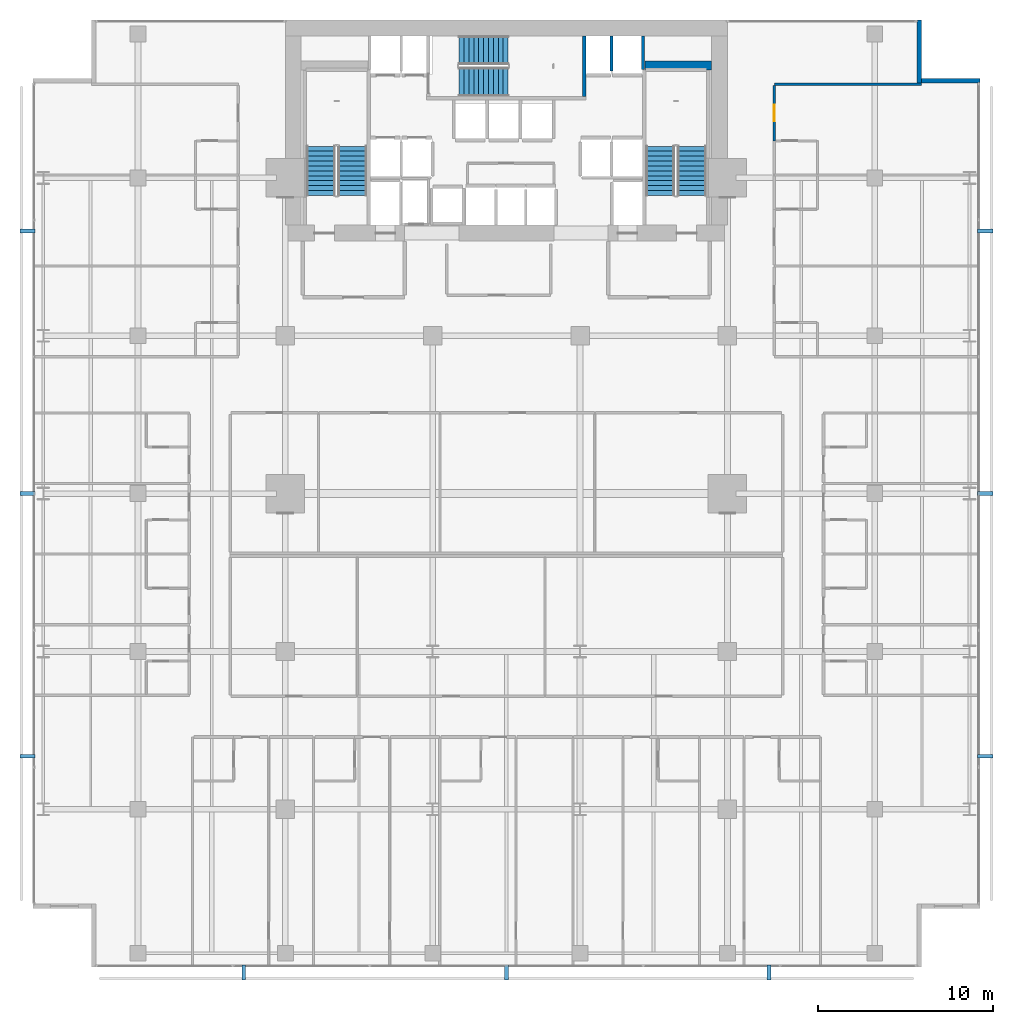
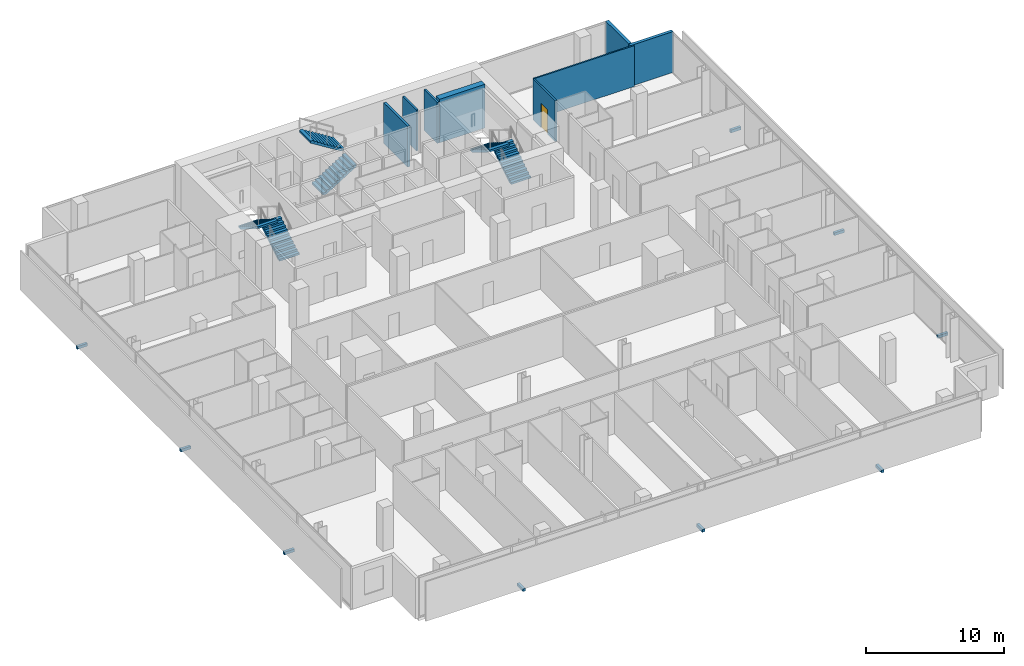
# One storey, part 38 of 40: 9 discrete accessories, 8 walls, 6 stair flights, 1 door, 1 opening, 3 elements without a shape of their own.
"""IFC4 building model written with IfcOpenShell, lengths in metres."""

import ifcopenshell
import ifcopenshell.guid

model = None  # the IFC model being written
_history = None  # IfcOwnerHistory: only IFC2X3 demands one
_inside = {}  # id of a spatial element -> (the spatial element, [elements in it])
_under = {}  # id of a project, library or spatial element -> (it, [spatial elements below it])
_declared = {}  # id of a project -> (the project, [libraries it declares])
_typed = {}  # id of a type object -> (the type object, [elements of that type])
_made_of = {}  # id of a material, layer set ... -> (it, [elements and type objects made of it])


def new_model(schema):
    """Start an empty IFC model of exactly this schema.

    Asked for "IFC4X3", IfcOpenShell would pick the latest addendum, in which some entities
    have other attributes; the version numbers below select the first issue.
    IFC2X3 requires an IfcOwnerHistory on every rooted entity: one is made here for all.
    """
    global model, _history
    if schema == "IFC4X3":
        model = ifcopenshell.file(schema_version=(4, 3, 0, 0))
    else:
        model = ifcopenshell.file(schema=schema)
    _inside.clear()
    _under.clear()
    _declared.clear()
    _typed.clear()
    _made_of.clear()
    _history = None
    if model.schema == "IFC2X3":
        org = make("IfcOrganization", Name="unknown")
        user = make(
            "IfcPersonAndOrganization",
            ThePerson=make("IfcPerson", FamilyName="unknown"),
            TheOrganization=org,
        )
        app = make(
            "IfcApplication",
            ApplicationDeveloper=org,
            Version="unknown",
            ApplicationFullName="unknown",
            ApplicationIdentifier="unknown",
        )
        _history = make(
            "IfcOwnerHistory",
            OwningUser=user,
            OwningApplication=app,
            ChangeAction="ADDED",
            CreationDate=0,
        )
    return model


def make(cls, **values):
    """One entity of the class cls with the attributes given. An attribute that is None is left unset."""
    return model.create_entity(
        cls, **{name: value for name, value in values.items() if value is not None}
    )


def rooted(cls, **values):
    """An entity with a GlobalId (a new one), such as an element, a storey or a relation."""
    return make(cls, GlobalId=ifcopenshell.guid.new(), OwnerHistory=_history, **values)


def si_unit(unit_type, name, prefix=None):
    """IfcSIUnit, for example si_unit("LENGTHUNIT", "METRE", prefix="MILLI")."""
    return make("IfcSIUnit", UnitType=unit_type, Prefix=prefix, Name=name)


def assignment(units):
    """IfcUnitAssignment: the units of a project."""
    return None if units is None else make("IfcUnitAssignment", Units=units)


def point(xyz):
    """IfcCartesianPoint."""
    return None if xyz is None else make("IfcCartesianPoint", Coordinates=xyz)


def direction(xyz):
    """IfcDirection."""
    return None if xyz is None else make("IfcDirection", DirectionRatios=xyz)


def frame(location, z_axis=None, x_axis=None):
    """IfcAxis2Placement3D, a coordinate frame: its origin and axes. An axis left out is left unset."""
    return make(
        "IfcAxis2Placement3D",
        Location=point(location),
        Axis=direction(z_axis),
        RefDirection=direction(x_axis),
    )


def frame_2d(location, x_axis=None):
    """IfcAxis2Placement2D, a coordinate frame in the plane: its origin and x axis."""
    return make(
        "IfcAxis2Placement2D", Location=point(location), RefDirection=direction(x_axis)
    )


def origin():
    """The frame at (0, 0, 0) with its axes left unset."""
    return frame((0.0, 0.0, 0.0))


def origin_2d():
    """The frame at (0, 0) in the plane with its x axis left unset."""
    return frame_2d((0.0, 0.0))


def place(relative_to, where):
    """IfcLocalPlacement: puts the frame where relative to a parent placement (None: the world)."""
    return make(
        "IfcLocalPlacement", PlacementRelTo=relative_to, RelativePlacement=where
    )


def context(
    kind, dimensions, precision=None, world=None, true_north=None, identifier=None
):
    """IfcGeometricRepresentationContext, for example the 3D "Model" context."""
    return make(
        "IfcGeometricRepresentationContext",
        ContextIdentifier=identifier,
        ContextType=kind,
        CoordinateSpaceDimension=dimensions,
        Precision=precision,
        WorldCoordinateSystem=world,
        TrueNorth=true_north,
    )


def subcontext(parent, identifier, kind, view, scale=None):
    """IfcGeometricRepresentationSubContext, for example "Body" below "Model"."""
    return make(
        "IfcGeometricRepresentationSubContext",
        ContextIdentifier=identifier,
        ContextType=kind,
        ParentContext=parent,
        TargetScale=scale,
        TargetView=view,
    )


def project(units=None, contexts=None):
    """IfcProject with its units and contexts."""
    return rooted(
        "IfcProject",
        Name="project",
        RepresentationContexts=contexts,
        UnitsInContext=assignment(units),
    )


def spatial(cls, under=None, at=None, **own):
    """A site, building, storey or space (cls), placed at a placement, below another one or the project."""
    s = rooted(cls, ObjectPlacement=at, **own)
    if under is not None:
        _under.setdefault(under.id(), (under, []))[1].append(s)
    return s


def polyline(points):
    """IfcPolyline through the points."""
    return make("IfcPolyline", Points=[point(p) for p in points])


def profile(cls, at=None, kind="AREA", **sizes):
    """A parametric profile (cls). Its sizes go by their IFC names, for example OverallWidth=200.0."""
    return make(cls, ProfileType=kind, Position=at, **sizes)


def rectangle(**sizes):
    """IfcRectangleProfileDef."""
    return profile("IfcRectangleProfileDef", **sizes)


def outline(outer, holes=None, kind="AREA"):
    """IfcArbitraryClosedProfileDef: a profile drawn as a closed curve; with holes, ...WithVoids."""
    if holes is None:
        return make("IfcArbitraryClosedProfileDef", ProfileType=kind, OuterCurve=outer)
    return make(
        "IfcArbitraryProfileDefWithVoids",
        ProfileType=kind,
        OuterCurve=outer,
        InnerCurves=holes,
    )


def extrude(swept, where, along, depth):
    """IfcExtrudedAreaSolid: the profile swept, set in the frame where, extruded along a direction by depth."""
    return make(
        "IfcExtrudedAreaSolid",
        SweptArea=swept,
        Position=where,
        ExtrudedDirection=direction(along),
        Depth=depth,
    )


def shape(context_of_items, identifier, shape_type, items):
    """IfcShapeRepresentation: the items that make up one representation, for example the "Body"."""
    return make(
        "IfcShapeRepresentation",
        ContextOfItems=context_of_items,
        RepresentationIdentifier=identifier,
        RepresentationType=shape_type,
        Items=items,
    )


def material(Name=None, Category=None):
    """IfcMaterial."""
    return make("IfcMaterial", Name=Name, Category=Category)


def layer(
    of_material, thickness, ventilated=None, Name=None, Category=None, Priority=None
):
    """IfcMaterialLayer: one layer of a wall or slab, of a material (None: an air gap)."""
    return make(
        "IfcMaterialLayer",
        Material=of_material,
        LayerThickness=thickness,
        IsVentilated=ventilated,
        Name=Name,
        Category=Category,
        Priority=Priority,
    )


def layer_set(layers, Name=None):
    """IfcMaterialLayerSet."""
    return make("IfcMaterialLayerSet", MaterialLayers=layers, LayerSetName=Name)


def made_of(thing, what):
    """Note that an element or type object is made of a material, layer set ...; save() writes the relation."""
    if what is not None:
        _made_of.setdefault(what.id(), (what, []))[1].append(thing)
    return thing


def type_object(cls, material=None, **own):
    """A type object (cls), such as IfcWallType, which elements share."""
    return made_of(rooted(cls, **own), material)


def element(
    cls,
    number,
    at=None,
    inside=None,
    cuts=None,
    type_object=None,
    material=None,
    context=None,
    identifier="Body",
    shape_type=None,
    held_by="IfcProductDefinitionShape",
    body=None,
    shapes=None,
    **own,
):
    """One element of the class cls, such as IfcWall. Its Tag is "e" and its number.

    at: its placement. inside: the storey or other place that contains it. cuts: it is an
    opening in that element (IfcRelVoidsElement). A single representation is given by context,
    identifier, shape_type and body (its items); several are given by shapes. held_by: the class
    of the entity that holds the representations. save() writes the other relations.
    """
    e = rooted(cls, Tag="e%d" % number, ObjectPlacement=at, **own)
    if body is not None:
        shapes = [shape(context, identifier, shape_type, body)]
    if shapes is not None:
        e.Representation = make(held_by, Representations=shapes)
    if inside is not None:
        _inside.setdefault(inside.id(), (inside, []))[1].append(e)
    if cuts is not None:
        rooted(
            "IfcRelVoidsElement", RelatingBuildingElement=cuts, RelatedOpeningElement=e
        )
    if type_object is not None:
        _typed.setdefault(type_object.id(), (type_object, []))[1].append(e)
    return made_of(e, material)


def fill(opening, filler):
    """IfcRelFillsElement: the door or window that sits in an opening."""
    return rooted(
        "IfcRelFillsElement",
        RelatingOpeningElement=opening,
        RelatedBuildingElement=filler,
    )


def aggregate(whole, parts):
    """IfcRelAggregates: a whole, such as a stair, and the parts it consists of."""
    return rooted("IfcRelAggregates", RelatingObject=whole, RelatedObjects=parts)


def save(model, path):
    """Write the relations noted so far, then the file.

    IfcRelAggregates (storeys below a building ...), IfcRelContainedInSpatialStructure (elements
    in a storey), IfcRelDefinesByType, IfcRelAssociatesMaterial and IfcRelDeclares: one each for
    every whole, place, type object, material and project.
    """
    for whole, parts in _under.values():
        aggregate(whole, parts)
    for where, things in _inside.values():
        rooted(
            "IfcRelContainedInSpatialStructure",
            RelatedElements=things,
            RelatingStructure=where,
        )
    for kind, things in _typed.values():
        rooted("IfcRelDefinesByType", RelatedObjects=things, RelatingType=kind)
    for what, things in _made_of.values():
        rooted("IfcRelAssociatesMaterial", RelatedObjects=things, RelatingMaterial=what)
    for by, libraries in _declared.values():
        rooted("IfcRelDeclares", RelatingContext=by, RelatedDefinitions=libraries)
    model.write(path)


model = new_model("IFC4")

# Units and contexts
model_context = context("Model", 3, precision=1e-05, world=origin(), true_north=direction((0.0, 1.0)))
body_context = subcontext(model_context, "Body", "Model", "MODEL_VIEW")
ifc_project = project(units=[si_unit("LENGTHUNIT", "METRE"), si_unit("AREAUNIT", "SQUARE_METRE"), si_unit("VOLUMEUNIT", "CUBIC_METRE"), si_unit("PLANEANGLEUNIT", "RADIAN"), si_unit("MASSUNIT", "GRAM", prefix="KILO")], contexts=[model_context])

# Site, building, storey
site_placement = place(None, origin())
site = spatial("IfcSite", under=ifc_project, at=site_placement, CompositionType="ELEMENT")
building_placement = place(site_placement, origin())
building = spatial("IfcBuilding", under=site, at=building_placement, Name="Maruvema Waterfront Hotel and Observation Tower", CompositionType="ELEMENT")
storey_placement = place(building_placement, frame((0.0, 0.0, 77.0)))
storey = spatial("IfcBuildingStorey", under=building, at=storey_placement, Name="L18", CompositionType="ELEMENT", Elevation=77.0)

# Wall, opening, door
ifc_material_1 = material(Name="Twin-stud acoustic gypsum drywall", Category="gypsum")
ifc_layer_1 = layer(ifc_material_1, 0.14990234375, Name="Acoustic Corridor and Suite Demising Wall 150 mm")
ifc_layer_set_1 = layer_set([ifc_layer_1], Name="Twin-stud acoustic gypsum drywall")
wall_type_1 = type_object("IfcWallType", Name="Acoustic Corridor and Suite Demising Wall 150 mm", PredefinedType="PARTITIONING", material=ifc_layer_set_1)
wall_1_placement = place(storey_placement, frame((53.080078125, 47.1083984375, 0.0), z_axis=(0.0, 0.0, 1.0), x_axis=(0.0, 1.0, 0.0)))
wall_1 = element("IfcWall", 1, at=wall_1_placement, inside=storey, type_object=wall_type_1, Name="L18 Room L18-NE3 Corridor Wall 141", PredefinedType="PARTITIONING", context=body_context, shape_type="SweptSolid", body=[
    extrude(rectangle(XDim=3.169189453125, YDim=0.14990234375, at=frame_2d((1.58447265625, 0.0))), origin(), (0.0, 0.0, 1.0), 3.610107421875),
])
opening_placement = place(wall_1_placement, frame((1.109619140625, 0.0, 0.0)))
opening = element("IfcOpeningElement", 2, at=opening_placement, cuts=wall_1, Name="Opening DR-095", PredefinedType="OPENING", context=body_context, shape_type="SweptSolid", body=[
    extrude(rectangle(XDim=0.949951171875, YDim=2.14990234375, at=frame_2d((0.47509765625, 1.074951171875))), frame((0.0, 0.0849609375, 0.0), z_axis=(0.0, -1.0, 0.0), x_axis=(1.0, 0.0, 0.0)), (0.0, 0.0, 1.0), 0.169921875),
])
ifc_material_2 = material(Name="Acoustic solid-core hardwood timber leaf", Category="wood")
door_type = type_object("IfcDoorType", Name="Guestroom Entrance Fire Door 950x2150 mm", OperationType="NOTDEFINED", PredefinedType="DOOR", material=ifc_material_2)
door_placement = place(opening_placement, frame((0.949951171875, 0.0, 0.0), z_axis=(0.0, 0.0, 1.0), x_axis=(-1.0, 0.0, 0.0)))
door = element("IfcDoor", 3, at=door_placement, inside=storey, type_object=door_type, Name="L18 Room L18-NE3 Entrance Door", OperationType="SINGLE_SWING_LEFT", OverallHeight=2.14990234375, OverallWidth=0.949951171875, PredefinedType="DOOR", context=body_context, shape_type="SweptSolid", body=[
    extrude(rectangle(XDim=0.949951171875, YDim=2.14990234375, at=frame_2d((0.47509765625, 1.074951171875))), frame((0.0, 0.02490234375, 0.0), z_axis=(0.0, -1.0, 0.0), x_axis=(1.0, 0.0, 0.0)), (0.0, 0.0, 1.0), 0.050048828125),
])
fill(opening, door)

# Walls
ifc_material_3 = material(Name="Precast concrete C45/55", Category="concrete")
ifc_layer_2 = layer(ifc_material_3, 0.199951171875, Name="Core Shaft and Stairwell Enclosure Wall 200 mm")
ifc_layer_set_2 = layer_set([ifc_layer_2], Name="Precast concrete C45/55")
wall_type_2 = type_object("IfcWallType", Name="Core Shaft and Stairwell Enclosure Wall 200 mm", PredefinedType="SOLIDWALL", material=ifc_layer_set_2)
wall_2_placement = place(storey_placement, frame((42.25, 49.64990234375, 0.0), z_axis=(0.0, 0.0, 1.0), x_axis=(0.0, 1.0, 0.0)))
element("IfcWall", 4, at=wall_2_placement, inside=storey, type_object=wall_type_2, Name="L18 Stairwell ST-02 Shaft Wall", PredefinedType="SOLIDWALL", context=body_context, shape_type="SweptSolid", body=[
    extrude(rectangle(XDim=3.4501953125, YDim=0.199951171875, at=frame_2d((1.72509765625, 0.0))), origin(), (0.0, 0.0, 1.0), 3.610107421875),
])
ifc_material_4 = material(Name="Concrete C70/85", Category="concrete")
ifc_layer_3 = layer(ifc_material_4, 0.5, Name="Core Shear Wall 500 mm")
ifc_layer_set_3 = layer_set([ifc_layer_3], Name="Concrete C70/85")
wall_type_3 = type_object("IfcWallType", Name="Core Shear Wall 500 mm", PredefinedType="SHEAR", material=ifc_layer_set_3)
wall_3_placement = place(storey_placement, frame((45.699951171875, 51.39990234375, 0.0), z_axis=(0.0, 0.0, 1.0), x_axis=(1.0, 0.0, 0.0)))
element("IfcWall", 5, at=wall_3_placement, inside=storey, type_object=wall_type_3, Name="L18 Internal Core Shear Wall NE 500 mm", PredefinedType="SHEAR", context=body_context, shape_type="SweptSolid", body=[
    extrude(rectangle(XDim=3.800048828125, YDim=0.5, at=frame_2d((1.89990234375, 0.0))), origin(), (0.0, 0.0, 1.0), 3.85009765625),
])
ifc_material_5 = material(Name="Precast concrete C45/55 with honed Pernambuco granite facing", Category="masonry")
ifc_layer_4 = layer(ifc_material_5, 0.260009765625, Name="Exterior Granite Clad Spandrel and Pier Wall 260 mm")
ifc_layer_set_4 = layer_set([ifc_layer_4], Name="Precast concrete C45/55 with honed Pernambuco granite facing")
wall_type_4 = type_object("IfcWallType", Name="Exterior Granite Clad Spandrel and Pier Wall 260 mm", PredefinedType="SOLIDWALL", material=ifc_layer_set_4)
for number, where, z_axis, x_axis, name in (
    (6, (61.330078125, 54.0, 0.0), (0.0, 0.0, 1.0), (0.0, -1.0, 0.0), "L18 Corner Notch Granite Pier Wall NE1"),
    (7, (61.199951171875, 50.530029296875, 0.0), (0.0, 0.0, 1.0), (1.0, 0.0, 0.0), "L18 Corner Notch Granite Pier Wall NE2"),
):
    element("IfcWall", number, at=place(storey_placement, frame(where, z_axis=z_axis, x_axis=x_axis)), inside=storey, type_object=wall_type_4, Name=name, PredefinedType="SOLIDWALL", context=body_context, shape_type="SweptSolid", body=[
        extrude(rectangle(XDim=3.60009765625, YDim=0.260009765625, at=frame_2d((1.800048828125, 0.0))), origin(), (0.0, 0.0, 1.0), 3.610107421875),
    ])
ifc_material_6 = material(Name="Acoustic gypsum plasterboard drywall", Category="gypsum")
ifc_layer_5 = layer(ifc_material_6, 0.125, Name="Guestroom Acoustic Demising Wall 125 mm")
ifc_layer_set_5 = layer_set([ifc_layer_5], Name="Acoustic gypsum plasterboard drywall")
wall_type_5 = type_object("IfcWallType", Name="Guestroom Acoustic Demising Wall 125 mm", PredefinedType="PARTITIONING", material=ifc_layer_set_5)
wall_4_placement = place(storey_placement, frame((53.080078125, 50.33740234375, 0.0), z_axis=(0.0, 0.0, 1.0), x_axis=(1.0, 0.0, 0.0)))
element("IfcWall", 8, at=wall_4_placement, inside=storey, type_object=wall_type_5, Name="L18 NE Top End 115", PredefinedType="PARTITIONING", context=body_context, shape_type="SweptSolid", body=[
    extrude(rectangle(XDim=8.3798828125, YDim=0.125, at=frame_2d((4.18994140625, 0.0))), origin(), (0.0, 0.0, 1.0), 3.610107421875),
])
ifc_material_7 = material(Name="Precast concrete C45/55", Category="concrete")
ifc_layer_6 = layer(ifc_material_7, 0.159912109375, Name="Lift Hoistway Divider Wall 160 mm")
ifc_layer_set_6 = layer_set([ifc_layer_6], Name="Precast concrete C45/55")
wall_type_6 = type_object("IfcWallType", Name="Lift Hoistway Divider Wall 160 mm", PredefinedType="SOLIDWALL", material=ifc_layer_set_6)
wall_5_placement = place(storey_placement, frame((45.590087890625, 51.179931640625, 0.0), z_axis=(0.0, 0.0, 1.0), x_axis=(0.0, 1.0, 0.0)))
element("IfcWall", 9, at=wall_5_placement, inside=storey, type_object=wall_type_6, Name="L18 Hoistway Divider Wall", PredefinedType="SOLIDWALL", context=body_context, shape_type="SweptSolid", body=[
    extrude(rectangle(XDim=1.920166015625, YDim=0.159912109375, at=frame_2d((0.9599609375, 0.0))), origin(), (0.0, 0.0, 1.0), 3.610107421875),
])
wall_6_placement = place(storey_placement, frame((43.800048828125, 51.10009765625, 0.0), z_axis=(0.0, 0.0, 1.0), x_axis=(0.0, 1.0, 0.0)))
element("IfcWall", 10, at=wall_6_placement, inside=storey, type_object=wall_type_6, Name="L18 Hoistway Divider Wall", PredefinedType="SOLIDWALL", context=body_context, shape_type="SweptSolid", body=[
    extrude(rectangle(XDim=2.0, YDim=0.159912109375, at=frame_2d((1.0, 0.0))), origin(), (0.0, 0.0, 1.0), 3.610107421875),
])

# Stair, stair flights
ifc_material_8 = material(Name="Concrete C50/60", Category="concrete")
stair_type = type_object("IfcStairType", Name="Dogleg Exit Stair 1650 mm (22R x 175.0 mm)", PredefinedType="HALF_TURN_STAIR", material=ifc_material_8)
stair_1_placement = place(storey_placement, origin())
stair_1 = element("IfcStair", 11, at=stair_1_placement, inside=storey, type_object=stair_type, Name="L18 ST-01", PredefinedType="HALF_TURN_STAIR")
ifc_material_9 = material(Name="Concrete C50/60", Category="concrete")
stair_flight_type = type_object("IfcStairFlightType", Name="Reinforced Concrete Stair Flight 1650 mm (11R x 175.0 mm)", PredefinedType="STRAIGHT", material=ifc_material_9)
stair_flight_1_placement = place(storey_placement, frame((29.02490234375, 44.0, 0.0), z_axis=(0.0, 0.0, 1.0), x_axis=(0.0, 1.0, 0.0)))
stair_flight_1 = element("IfcStairFlight", 12, at=stair_flight_1_placement, type_object=stair_flight_type, Name="ST-01 flight 1", NumberOfRisers=11, NumberOfTreads=10, PredefinedType="STRAIGHT", RiserHeight=0.175, TreadLength=0.28, context=body_context, shape_type="SweptSolid", body=[
    extrude(outline(polyline([(0.0, 0.0), (0.0, 0.175048828125), (0.280029296875, 0.175048828125), (0.280029296875, 0.35009765625), (0.56005859375, 0.35009765625), (0.56005859375, 0.52490234375), (0.840087890625, 0.52490234375), (0.840087890625, 0.699951171875), (1.1201171875, 0.699951171875), (1.1201171875, 0.875), (1.39990234375, 0.875), (1.39990234375, 1.050048828125), (1.679931640625, 1.050048828125), (1.679931640625, 1.22509765625), (1.9599609375, 1.22509765625), (1.9599609375, 1.39990234375), (2.239990234375, 1.39990234375), (2.239990234375, 1.574951171875), (2.52001953125, 1.574951171875), (2.52001953125, 1.75), (2.800048828125, 1.75), (2.800048828125, 1.925048828125), (2.800048828125, 1.5732421875), (0.28271484375, 0.0), (0.0, 0.0)])), frame((0.0, 0.824951171875, 0.0), z_axis=(0.0, -1.0, 0.0), x_axis=(1.0, 0.0, 0.0)), (0.0, 0.0, 1.0), 1.64990234375),
])
stair_flight_2_placement = place(storey_placement, frame((27.22509765625, 46.800048828125, 1.925048828125), z_axis=(0.0, 0.0, 1.0), x_axis=(0.0, -1.0, 0.0)))
stair_flight_2 = element("IfcStairFlight", 13, at=stair_flight_2_placement, type_object=stair_flight_type, Name="ST-01 flight 2", NumberOfRisers=11, NumberOfTreads=10, PredefinedType="STRAIGHT", RiserHeight=0.175, TreadLength=0.28, context=body_context, shape_type="SweptSolid", body=[
    extrude(outline(polyline([(0.0, 0.0), (0.0, 0.175048828125), (0.280029296875, 0.175048828125), (0.280029296875, 0.35009765625), (0.56005859375, 0.35009765625), (0.56005859375, 0.52490234375), (0.840087890625, 0.52490234375), (0.840087890625, 0.699951171875), (1.1201171875, 0.699951171875), (1.1201171875, 0.875), (1.39990234375, 0.875), (1.39990234375, 1.050048828125), (1.679931640625, 1.050048828125), (1.679931640625, 1.22509765625), (1.9599609375, 1.22509765625), (1.9599609375, 1.39990234375), (2.239990234375, 1.39990234375), (2.239990234375, 1.574951171875), (2.52001953125, 1.574951171875), (2.52001953125, 1.75), (2.800048828125, 1.75), (2.800048828125, 1.925048828125), (2.800048828125, 1.5732421875), (0.28271484375, 0.0), (0.0, 0.0)])), frame((0.0, 0.824951171875, 0.0), z_axis=(0.0, -1.0, 0.0), x_axis=(1.0, 0.0, 0.0)), (0.0, 0.0, 1.0), 1.64990234375),
])
aggregate(stair_1, [stair_flight_1, stair_flight_2])

stair_2_placement = place(storey_placement, origin())
stair_2 = element("IfcStair", 14, at=stair_2_placement, inside=storey, type_object=stair_type, Name="L18 ST-02", PredefinedType="HALF_TURN_STAIR")
stair_flight_3_placement = place(storey_placement, frame((35.10009765625, 50.47509765625, 0.0), z_axis=(0.0, 0.0, 1.0), x_axis=(1.0, 0.0, 0.0)))
stair_flight_3 = element("IfcStairFlight", 15, at=stair_flight_3_placement, type_object=stair_flight_type, Name="ST-02 flight 1", NumberOfRisers=11, NumberOfTreads=10, PredefinedType="STRAIGHT", RiserHeight=0.175, TreadLength=0.28, context=body_context, shape_type="SweptSolid", body=[
    extrude(outline(polyline([(0.0, 0.0), (0.0, 0.175048828125), (0.280029296875, 0.175048828125), (0.280029296875, 0.35009765625), (0.56005859375, 0.35009765625), (0.56005859375, 0.52490234375), (0.840087890625, 0.52490234375), (0.840087890625, 0.699951171875), (1.1201171875, 0.699951171875), (1.1201171875, 0.875), (1.39990234375, 0.875), (1.39990234375, 1.050048828125), (1.679931640625, 1.050048828125), (1.679931640625, 1.22509765625), (1.9599609375, 1.22509765625), (1.9599609375, 1.39990234375), (2.239990234375, 1.39990234375), (2.239990234375, 1.574951171875), (2.52001953125, 1.574951171875), (2.52001953125, 1.75), (2.800048828125, 1.75), (2.800048828125, 1.925048828125), (2.800048828125, 1.5732421875), (0.28271484375, 0.0), (0.0, 0.0)])), frame((0.0, 0.824951171875, 0.0), z_axis=(0.0, -1.0, 0.0), x_axis=(1.0, 0.0, 0.0)), (0.0, 0.0, 1.0), 1.64990234375),
])
stair_flight_4_placement = place(storey_placement, frame((37.89990234375, 52.27490234375, 1.925048828125), z_axis=(0.0, 0.0, 1.0), x_axis=(-1.0, 0.0, 0.0)))
stair_flight_4 = element("IfcStairFlight", 16, at=stair_flight_4_placement, type_object=stair_flight_type, Name="ST-02 flight 2", NumberOfRisers=11, NumberOfTreads=10, PredefinedType="STRAIGHT", RiserHeight=0.175, TreadLength=0.28, context=body_context, shape_type="SweptSolid", body=[
    extrude(outline(polyline([(0.0, 0.0), (0.0, 0.175048828125), (0.280029296875, 0.175048828125), (0.280029296875, 0.35009765625), (0.56005859375, 0.35009765625), (0.56005859375, 0.52490234375), (0.840087890625, 0.52490234375), (0.840087890625, 0.699951171875), (1.1201171875, 0.699951171875), (1.1201171875, 0.875), (1.39990234375, 0.875), (1.39990234375, 1.050048828125), (1.679931640625, 1.050048828125), (1.679931640625, 1.22509765625), (1.9599609375, 1.22509765625), (1.9599609375, 1.39990234375), (2.239990234375, 1.39990234375), (2.239990234375, 1.574951171875), (2.52001953125, 1.574951171875), (2.52001953125, 1.75), (2.800048828125, 1.75), (2.800048828125, 1.925048828125), (2.800048828125, 1.5732421875), (0.28271484375, 0.0), (0.0, 0.0)])), frame((0.0, 0.824951171875, 0.0), z_axis=(0.0, -1.0, 0.0), x_axis=(1.0, 0.0, 0.0)), (0.0, 0.0, 1.0), 1.64990234375),
])
aggregate(stair_2, [stair_flight_3, stair_flight_4])

stair_3_placement = place(storey_placement, origin())
stair_3 = element("IfcStair", 17, at=stair_3_placement, inside=storey, type_object=stair_type, Name="L18 ST-03", PredefinedType="HALF_TURN_STAIR")
stair_flight_5_placement = place(storey_placement, frame((48.375, 44.0, 0.0), z_axis=(0.0, 0.0, 1.0), x_axis=(0.0, 1.0, 0.0)))
stair_flight_5 = element("IfcStairFlight", 18, at=stair_flight_5_placement, type_object=stair_flight_type, Name="ST-03 flight 1", NumberOfRisers=11, NumberOfTreads=10, PredefinedType="STRAIGHT", RiserHeight=0.175, TreadLength=0.28, context=body_context, shape_type="SweptSolid", body=[
    extrude(outline(polyline([(0.0, 0.0), (0.0, 0.175048828125), (0.280029296875, 0.175048828125), (0.280029296875, 0.35009765625), (0.56005859375, 0.35009765625), (0.56005859375, 0.52490234375), (0.840087890625, 0.52490234375), (0.840087890625, 0.699951171875), (1.1201171875, 0.699951171875), (1.1201171875, 0.875), (1.39990234375, 0.875), (1.39990234375, 1.050048828125), (1.679931640625, 1.050048828125), (1.679931640625, 1.22509765625), (1.9599609375, 1.22509765625), (1.9599609375, 1.39990234375), (2.239990234375, 1.39990234375), (2.239990234375, 1.574951171875), (2.52001953125, 1.574951171875), (2.52001953125, 1.75), (2.800048828125, 1.75), (2.800048828125, 1.925048828125), (2.800048828125, 1.5732421875), (0.28271484375, 0.0), (0.0, 0.0)])), frame((0.0, 0.824951171875, 0.0), z_axis=(0.0, -1.0, 0.0), x_axis=(1.0, 0.0, 0.0)), (0.0, 0.0, 1.0), 1.64990234375),
])
stair_flight_6_placement = place(storey_placement, frame((46.574951171875, 46.800048828125, 1.925048828125), z_axis=(0.0, 0.0, 1.0), x_axis=(0.0, -1.0, 0.0)))
stair_flight_6 = element("IfcStairFlight", 19, at=stair_flight_6_placement, type_object=stair_flight_type, Name="ST-03 flight 2", NumberOfRisers=11, NumberOfTreads=10, PredefinedType="STRAIGHT", RiserHeight=0.175, TreadLength=0.28, context=body_context, shape_type="SweptSolid", body=[
    extrude(outline(polyline([(0.0, 0.0), (0.0, 0.175048828125), (0.280029296875, 0.175048828125), (0.280029296875, 0.35009765625), (0.56005859375, 0.35009765625), (0.56005859375, 0.52490234375), (0.840087890625, 0.52490234375), (0.840087890625, 0.699951171875), (1.1201171875, 0.699951171875), (1.1201171875, 0.875), (1.39990234375, 0.875), (1.39990234375, 1.050048828125), (1.679931640625, 1.050048828125), (1.679931640625, 1.22509765625), (1.9599609375, 1.22509765625), (1.9599609375, 1.39990234375), (2.239990234375, 1.39990234375), (2.239990234375, 1.574951171875), (2.52001953125, 1.574951171875), (2.52001953125, 1.75), (2.800048828125, 1.75), (2.800048828125, 1.925048828125), (2.800048828125, 1.5732421875), (0.28271484375, 0.0), (0.0, 0.0)])), frame((0.0, 0.824951171875, 0.0), z_axis=(0.0, -1.0, 0.0), x_axis=(1.0, 0.0, 0.0)), (0.0, 0.0, 1.0), 1.64990234375),
])
aggregate(stair_3, [stair_flight_5, stair_flight_6])

# Discrete accessories
ifc_material_10 = material(Name="Duplex stainless steel Grade 2205", Category="steel")
discrete_accessory_type = type_object("IfcDiscreteAccessoryType", Name="Double-Skin Cavity Stainless Outrigger Bracket", PredefinedType="BRACKET", material=ifc_material_10)
for number, where, z_axis, x_axis, name in (
    (20, (22.823974609375, -0.300048828125, -0.14013671875), (0.0, 0.0, 1.0), (1.0, 0.0, 0.0), "L18 Outer Skin Support Bracket 1"),
    (21, (37.800048828125, -0.300048828125, -0.14013671875), (0.0, 0.0, 1.0), (1.0, 0.0, 0.0), "L18 Outer Skin Support Bracket 2"),
    (22, (52.77587890625, -0.300048828125, -0.14013671875), (0.0, 0.0, 1.0), (1.0, 0.0, 0.0), "L18 Outer Skin Support Bracket 3"),
    (23, (65.10009765625, 12.02392578125, -0.14013671875), (0.0, 0.0, 1.0), (0.0, 1.0, 0.0), "L18 Outer Skin Support Bracket 1"),
    (24, (65.10009765625, 27.0, -0.14013671875), (0.0, 0.0, 1.0), (0.0, 1.0, 0.0), "L18 Outer Skin Support Bracket 2"),
    (25, (65.10009765625, 41.97607421875, -0.14013671875), (0.0, 0.0, 1.0), (0.0, 1.0, 0.0), "L18 Outer Skin Support Bracket 3"),
    (26, (10.5, 41.97607421875, -0.14013671875), (0.0, 0.0, 1.0), (0.0, -1.0, 0.0), "L18 Outer Skin Support Bracket 1"),
    (27, (10.5, 27.0, -0.14013671875), (0.0, 0.0, 1.0), (0.0, -1.0, 0.0), "L18 Outer Skin Support Bracket 2"),
    (28, (10.5, 12.02392578125, -0.14013671875), (0.0, 0.0, 1.0), (0.0, -1.0, 0.0), "L18 Outer Skin Support Bracket 3"),
):
    element("IfcDiscreteAccessory", number, at=place(storey_placement, frame(where, z_axis=z_axis, x_axis=x_axis)), inside=storey, type_object=discrete_accessory_type, Name=name, PredefinedType="BRACKET", context=body_context, shape_type="SweptSolid", body=[
        extrude(rectangle(XDim=0.219970703125, YDim=0.860107421875, at=origin_2d()), origin(), (0.0, 0.0, 1.0), 0.239990234375),
    ])

save(model, "model.ifc")
